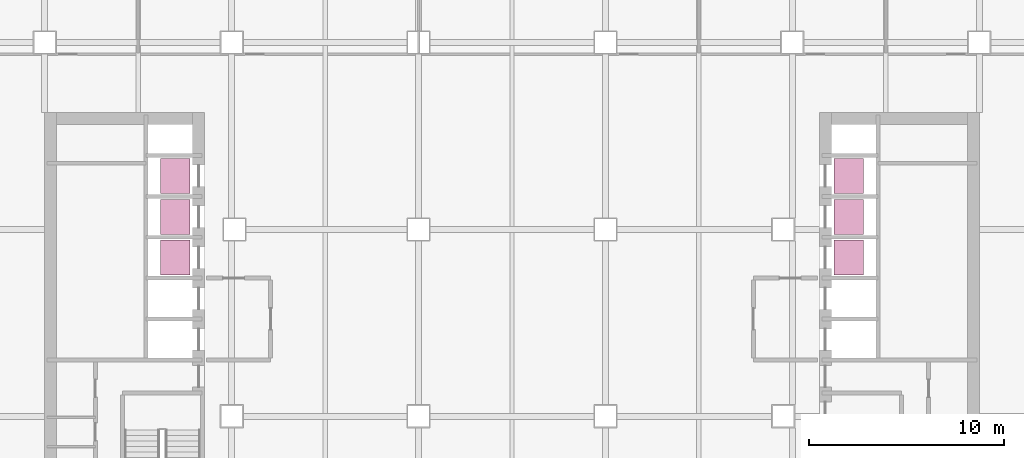
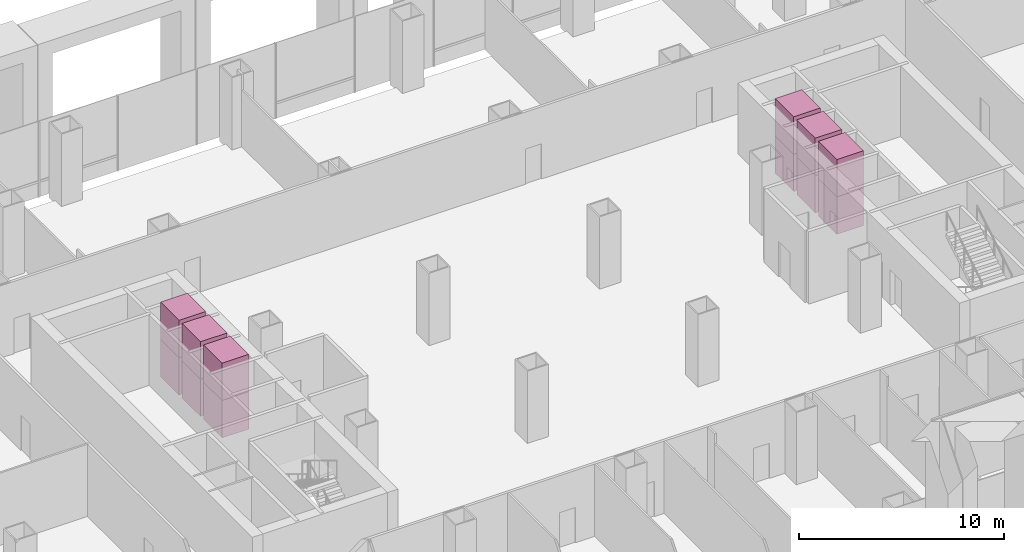
# One storey, part 23 of 23: 12 transport elements.
"""IFC4 building model written with IfcOpenShell, lengths in metres."""

from ifc_helpers import new_model, si_unit, direction, frame, origin, origin_2d, place, context, subcontext, project, spatial, rectangle, extrude, material, type_object, element, save


model = new_model("IFC4")

# Units and contexts
model_context = context("Model", 3, precision=1e-05, world=origin(), true_north=direction((0.0, 1.0)))
body_context = subcontext(model_context, "Body", "Model", "MODEL_VIEW")
ifc_project = project(units=[si_unit("LENGTHUNIT", "METRE"), si_unit("AREAUNIT", "SQUARE_METRE"), si_unit("VOLUMEUNIT", "CUBIC_METRE"), si_unit("PLANEANGLEUNIT", "RADIAN"), si_unit("MASSUNIT", "GRAM", prefix="KILO")], contexts=[model_context])

# Site, building, storey
site_placement = place(None, origin())
site = spatial("IfcSite", under=ifc_project, at=site_placement, CompositionType="ELEMENT")
building_placement = place(site_placement, origin())
building = spatial("IfcBuilding", under=site, at=building_placement, Name="Cobrizo Arcos Hotel Tower", CompositionType="ELEMENT")
storey_placement = place(building_placement, frame((0.0, 0.0, 24.5)))
storey = spatial("IfcBuildingStorey", under=building, at=storey_placement, Name="L04", CompositionType="ELEMENT", Elevation=24.5)

# Transport elements
ifc_material = material(Name="Stainless steel car", Category="steel")
transport_element_type = type_object("IfcTransportElementType", Name="Lift car Low 1.8x1.5", PredefinedType="ELEVATOR", material=ifc_material)
for number, where, z_axis, x_axis, name in (
    (1, (-17.300048828125, 3.35009765625, 0.0), (0.0, 0.0, 1.0), (1.0, 0.0, 0.0), "Low-rise passenger lift W1"),
    (2, (-17.300048828125, 3.35009765625, 2.224853515625), (0.0, 0.0, 1.0), (1.0, 0.0, 0.0), "Low-rise passenger lift W1"),
    (3, (-17.300048828125, 5.449951171875, 0.0), (0.0, 0.0, 1.0), (1.0, 0.0, 0.0), "Low-rise passenger lift W2"),
    (4, (-17.300048828125, 5.449951171875, 2.224853515625), (0.0, 0.0, 1.0), (1.0, 0.0, 0.0), "Low-rise passenger lift W2"),
    (5, (-17.300048828125, 7.550048828125, 0.0), (0.0, 0.0, 1.0), (1.0, 0.0, 0.0), "Low-rise passenger lift W3"),
    (6, (-17.300048828125, 7.550048828125, 2.224853515625), (0.0, 0.0, 1.0), (1.0, 0.0, 0.0), "Low-rise passenger lift W3"),
    (7, (17.300048828125, 3.35009765625, 0.0), (0.0, 0.0, 1.0), (1.0, 0.0, 0.0), "Low-rise passenger lift E1"),
    (8, (17.300048828125, 3.35009765625, 2.224853515625), (0.0, 0.0, 1.0), (1.0, 0.0, 0.0), "Low-rise passenger lift E1"),
    (9, (17.300048828125, 5.449951171875, 0.0), (0.0, 0.0, 1.0), (1.0, 0.0, 0.0), "Low-rise passenger lift E2"),
    (10, (17.300048828125, 5.449951171875, 2.224853515625), (0.0, 0.0, 1.0), (1.0, 0.0, 0.0), "Low-rise passenger lift E2"),
    (11, (17.300048828125, 7.550048828125, 0.0), (0.0, 0.0, 1.0), (1.0, 0.0, 0.0), "Low-rise passenger lift E3"),
    (12, (17.300048828125, 7.550048828125, 2.224853515625), (0.0, 0.0, 1.0), (1.0, 0.0, 0.0), "Low-rise passenger lift E3"),
):
    element("IfcTransportElement", number, at=place(storey_placement, frame(where, z_axis=z_axis, x_axis=x_axis)), inside=storey, type_object=transport_element_type, Name=name, PredefinedType="ELEVATOR", context=body_context, shape_type="SweptSolid", body=[
        extrude(rectangle(XDim=1.5, YDim=1.800048828125, at=origin_2d()), origin(), (0.0, 0.0, 1.0), 2.22509765625),
    ])

save(model, "model.ifc")
